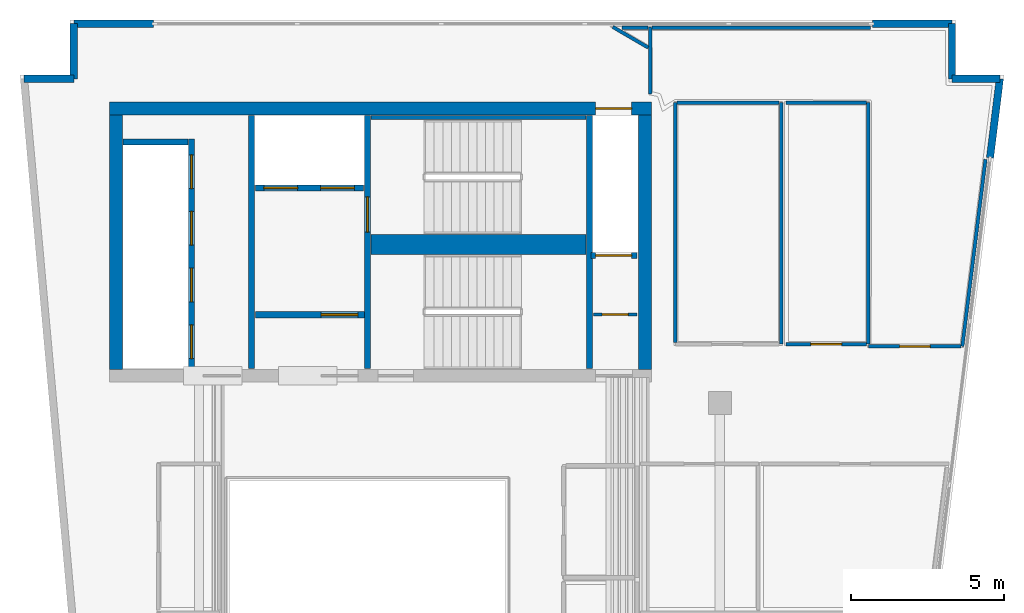
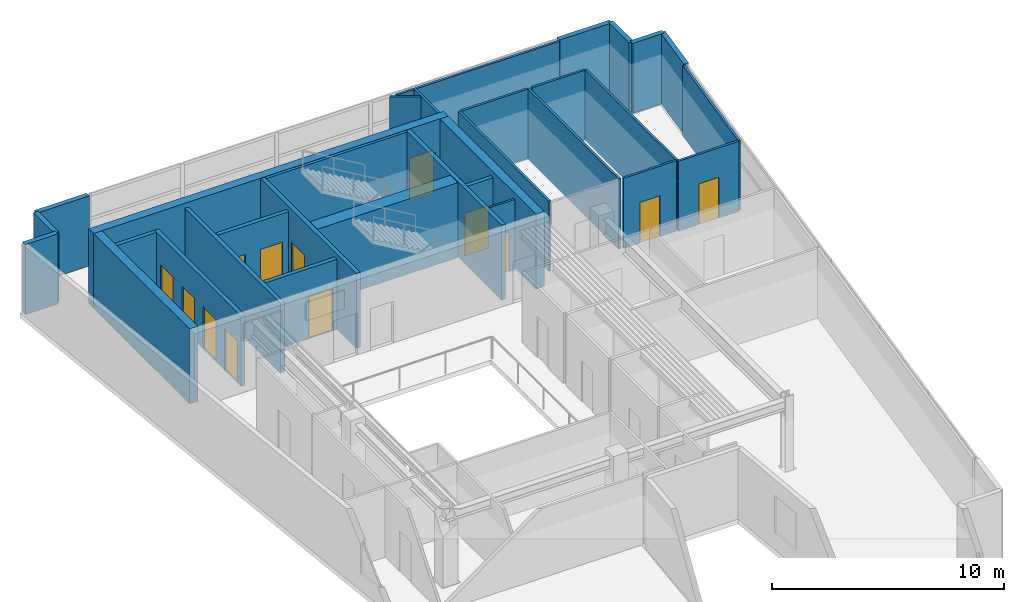
# One storey, part 5 of 8: 33 walls, 13 doors, 13 openings.
"""IFC4 building model written with IfcOpenShell, lengths in metres."""

from ifc_helpers import new_model, si_unit, direction, frame, frame_2d, origin, place, context, subcontext, project, spatial, rectangle, extrude, material, layer, layer_set, type_object, element, fill, save


model = new_model("IFC4")

# Units and contexts
model_context = context("Model", 3, precision=1e-05, world=origin(), true_north=direction((0.0, 1.0)))
body_context = subcontext(model_context, "Body", "Model", "MODEL_VIEW")
ifc_project = project(units=[si_unit("LENGTHUNIT", "METRE"), si_unit("AREAUNIT", "SQUARE_METRE"), si_unit("VOLUMEUNIT", "CUBIC_METRE"), si_unit("PLANEANGLEUNIT", "RADIAN"), si_unit("MASSUNIT", "GRAM", prefix="KILO")], contexts=[model_context])

# Site, building, storey
site_placement = place(None, origin())
site = spatial("IfcSite", under=ifc_project, at=site_placement, CompositionType="ELEMENT")
building_placement = place(site_placement, origin())
building = spatial("IfcBuilding", under=site, at=building_placement, Name="Caeloran Harvest Quay", CompositionType="ELEMENT")
storey_placement = place(building_placement, frame((0.0, 0.0, 272.5)))
storey = spatial("IfcBuildingStorey", under=building, at=storey_placement, Name="L65", CompositionType="ELEMENT", Elevation=272.5)

# Walls
ifc_material_1 = material(Name="Precast concrete C50/60", Category="concrete")
ifc_layer_1 = layer(ifc_material_1, 0.239990234375, Name="Precast concrete C50/60")
ifc_layer_set_1 = layer_set([ifc_layer_1], Name="Precast concrete C50/60")
wall_type_1 = type_object("IfcWallType", Name="ENV-WALL-EW-240", PredefinedType="STANDARD", material=ifc_layer_set_1)
wall_1_placement = place(storey_placement, frame((2.793212890625, 41.580078125, 0.0), z_axis=(0.0, 0.0, 1.0), x_axis=(1.0, 0.0, 0.0)))
element("IfcWall", 1, at=wall_1_placement, inside=storey, type_object=wall_type_1, Name="L65 Exterior Precast Concrete Facade Wall 4", PredefinedType="STANDARD", context=body_context, shape_type="SweptSolid", body=[
    extrude(rectangle(XDim=1.626708984375, YDim=0.239990234375, at=frame_2d((0.8134765625, 0.0))), origin(), (0.0, 0.0, 1.0), 3.699951171875),
])
wall_2_placement = place(storey_placement, frame((4.419921875, 41.580078125, 0.0), z_axis=(0.0, 0.0, 1.0), x_axis=(0.0, 1.0, 0.0)))
element("IfcWall", 2, at=wall_2_placement, inside=storey, type_object=wall_type_1, Name="L65 Exterior Precast Concrete Facade Wall 5", PredefinedType="STANDARD", context=body_context, shape_type="SweptSolid", body=[
    extrude(rectangle(XDim=1.7998046875, YDim=0.239990234375, at=frame_2d((0.89990234375, 0.0))), origin(), (0.0, 0.0, 1.0), 3.699951171875),
])
for number, where, z_axis, x_axis, name in (
    (3, (4.419921875, 43.3798828125, 0.0), (0.0, 0.0, 1.0), (1.0, 0.0, 0.0), "L65 Exterior Facade Corner Pier Wall 6A"),
    (4, (30.47998046875, 43.3798828125, 0.0), (0.0, 0.0, 1.0), (1.0, 0.0, 0.0), "L65 Exterior Facade Corner Pier Wall 6B"),
):
    element("IfcWall", number, at=place(storey_placement, frame(where, z_axis=z_axis, x_axis=x_axis)), inside=storey, type_object=wall_type_1, Name=name, PredefinedType="STANDARD", context=body_context, shape_type="SweptSolid", body=[
        extrude(rectangle(XDim=2.60009765625, YDim=0.239990234375, at=frame_2d((1.300048828125, 0.0))), origin(), (0.0, 0.0, 1.0), 3.699951171875),
    ])
wall_3_placement = place(storey_placement, frame((33.080078125, 43.3798828125, 0.0), z_axis=(0.0, 0.0, 1.0), x_axis=(0.0, -1.0, 0.0)))
element("IfcWall", 5, at=wall_3_placement, inside=storey, type_object=wall_type_1, Name="L65 Exterior Precast Concrete Facade Wall 7", PredefinedType="STANDARD", context=body_context, shape_type="SweptSolid", body=[
    extrude(rectangle(XDim=1.7998046875, YDim=0.239990234375, at=frame_2d((0.89990234375, 0.0))), origin(), (0.0, 0.0, 1.0), 3.699951171875),
])
wall_4_placement = place(storey_placement, frame((33.080078125, 41.580078125, 0.0), z_axis=(0.0, 0.0, 1.0), x_axis=(1.0, 0.0, 0.0)))
element("IfcWall", 6, at=wall_4_placement, inside=storey, type_object=wall_type_1, Name="L65 Exterior Precast Concrete Facade Wall 8", PredefinedType="STANDARD", context=body_context, shape_type="SweptSolid", body=[
    extrude(rectangle(XDim=1.560791015625, YDim=0.239990234375, at=frame_2d((0.7802734375, 0.0))), origin(), (0.0, 0.0, 1.0), 3.699951171875),
])
wall_5_placement = place(storey_placement, frame((34.640869140625, 41.580078125, 0.0), z_axis=(0.0, 0.0, 1.0), x_axis=(-0.123191073593, -0.992382970121, 0.0)))
element("IfcWall", 7, at=wall_5_placement, inside=storey, type_object=wall_type_1, Name="L65 Exterior Facade Corner Pier Wall 9A", PredefinedType="STANDARD", context=body_context, shape_type="SweptSolid", body=[
    extrude(rectangle(XDim=2.60009765625, YDim=0.239990234375, at=frame_2d((1.300048828125, 0.0))), origin(), (0.0, 0.0, 1.0), 3.699951171875),
])

# Wall, opening, door
ifc_material_2 = material(Name="Fire-Resisting Gypsum Core Riser Partition", Category="gypsum")
ifc_layer_2 = layer(ifc_material_2, 0.10009765625, Name="Fire-Resisting Gypsum Core Riser Partition")
ifc_layer_set_2 = layer_set([ifc_layer_2], Name="Fire-Resisting Gypsum Core Riser Partition")
wall_type_2 = type_object("IfcWallType", Name="INT-WALL-PW-100", PredefinedType="PARTITIONING", material=ifc_layer_set_2)
wall_6_placement = place(storey_placement, frame((21.3798828125, 33.889892578125, 0.0), z_axis=(0.0, 0.0, 1.0), x_axis=(1.0, 0.0, 0.0)))
wall_6 = element("IfcWall", 8, at=wall_6_placement, inside=storey, type_object=wall_type_2, Name="L65 Cleaner Store Partition Wall", PredefinedType="PARTITIONING", context=body_context, shape_type="SweptSolid", body=[
    extrude(rectangle(XDim=1.420166015625, YDim=0.10009765625, at=frame_2d((0.7099609375, 0.0))), origin(), (0.0, 0.0, 1.0), 3.699951171875),
])
opening_1_placement = place(wall_6_placement, frame((0.280029296875, 0.0, 0.0)))
opening_1 = element("IfcOpeningElement", 9, at=opening_1_placement, cuts=wall_6, Name="Opening SV-01", PredefinedType="OPENING", context=body_context, shape_type="SweptSolid", body=[
    extrude(rectangle(XDim=0.85009765625, YDim=2.10009765625, at=frame_2d((0.425048828125, 1.050048828125))), frame((0.0, 0.06005859375, 0.0), z_axis=(0.0, -1.0, 0.0), x_axis=(1.0, 0.0, 0.0)), (0.0, 0.0, 1.0), 0.1201171875),
])
ifc_material_3 = material(Name="Galvanized Painted Steel", Category="steel")
door_type_1 = type_object("IfcDoorType", Name="INTDOOR-SV-01", OperationType="NOTDEFINED", PredefinedType="DOOR", material=ifc_material_3)
door_1_placement = place(opening_1_placement, origin())
door_1 = element("IfcDoor", 10, at=door_1_placement, inside=storey, type_object=door_type_1, Name="L65 Cleaner Supply Store Access Door", OperationType="SINGLE_SWING_RIGHT", OverallHeight=2.10009765625, OverallWidth=0.85009765625, PredefinedType="DOOR", context=body_context, shape_type="SweptSolid", body=[
    extrude(rectangle(XDim=0.85009765625, YDim=2.10009765625, at=frame_2d((0.425048828125, 1.050048828125))), frame((0.0, 0.02490234375, 0.0), z_axis=(0.0, -1.0, 0.0), x_axis=(1.0, 0.0, 0.0)), (0.0, 0.0, 1.0), 0.050048828125),
])
fill(opening_1, door_1)

# Walls
ifc_material_4 = material(Name="Single-Stud Acoustic Gypsum Office Partition", Category="gypsum")
ifc_layer_3 = layer(ifc_material_4, 0.112060546875, Name="Single-Stud Acoustic Gypsum Office Partition")
ifc_layer_set_3 = layer_set([ifc_layer_3], Name="Single-Stud Acoustic Gypsum Office Partition")
wall_type_3 = type_object("IfcWallType", Name="INT-WALL-PW-112", PredefinedType="PARTITIONING", material=ifc_layer_set_3)
wall_7_placement = place(storey_placement, frame((27.5, 40.800048828125, 0.0), z_axis=(0.0, 0.0, 1.0), x_axis=(0.0, -1.0, 0.0)))
element("IfcWall", 11, at=wall_7_placement, inside=storey, type_object=wall_type_3, Name="L65 Bioinformatics Briefing Lounge Partition Wall", PredefinedType="PARTITIONING", context=body_context, shape_type="SweptSolid", body=[
    extrude(rectangle(XDim=7.880126953125, YDim=0.112060546875, at=frame_2d((3.93994140625, 0.0))), origin(), (0.0, 0.0, 1.0), 3.699951171875),
])
wall_8_placement = place(storey_placement, frame((24.050048828125, 32.98095703125, 0.0), z_axis=(0.0, 0.0, 1.0), x_axis=(0.0, 1.0, 0.0)))
element("IfcWall", 12, at=wall_8_placement, inside=storey, type_object=wall_type_3, Name="L65 Bioinformatics Briefing Lounge Partition Wall", PredefinedType="PARTITIONING", context=body_context, shape_type="SweptSolid", body=[
    extrude(rectangle(XDim=7.819091796875, YDim=0.112060546875, at=frame_2d((3.90966796875, 0.0))), origin(), (0.0, 0.0, 1.0), 3.699951171875),
])
wall_9_placement = place(storey_placement, frame((24.111083984375, 40.800048828125, 0.0), z_axis=(0.0, 0.0, 1.0), x_axis=(1.0, 0.0, 0.0)))
element("IfcWall", 13, at=wall_9_placement, inside=storey, type_object=wall_type_3, Name="L65 Bioinformatics Briefing Lounge Partition Wall", PredefinedType="PARTITIONING", context=body_context, shape_type="SweptSolid", body=[
    extrude(rectangle(XDim=3.327880859375, YDim=0.112060546875, at=frame_2d((1.6640625, 0.0))), origin(), (0.0, 0.0, 1.0), 3.699951171875),
])
wall_10_placement = place(storey_placement, frame((30.35009765625, 40.800048828125, 0.0), z_axis=(0.0, 0.0, 1.0), x_axis=(0.0, -1.0, 0.0)))
element("IfcWall", 14, at=wall_10_placement, inside=storey, type_object=wall_type_3, Name="L65 Seed Imaging Laboratory Partition Wall", PredefinedType="PARTITIONING", context=body_context, shape_type="SweptSolid", body=[
    extrude(rectangle(XDim=7.880126953125, YDim=0.112060546875, at=frame_2d((3.93994140625, 0.0))), origin(), (0.0, 0.0, 1.0), 3.699951171875),
])

# Wall, opening, door
wall_11_placement = place(storey_placement, frame((30.2890625, 32.919921875, 0.0), z_axis=(0.0, 0.0, 1.0), x_axis=(-1.0, 0.0, 0.0)))
wall_11 = element("IfcWall", 15, at=wall_11_placement, inside=storey, type_object=wall_type_3, Name="L65 Seed Imaging Laboratory Partition Wall", PredefinedType="PARTITIONING", context=body_context, shape_type="SweptSolid", body=[
    extrude(rectangle(XDim=2.629150390625, YDim=0.112060546875, at=frame_2d((1.314453125, 0.0))), origin(), (0.0, 0.0, 1.0), 3.699951171875),
])
opening_2_placement = place(wall_11_placement, frame((0.814453125, 0.0, 0.0)))
opening_2 = element("IfcOpeningElement", 16, at=opening_2_placement, cuts=wall_11, Name="Opening ID-01", PredefinedType="OPENING", context=body_context, shape_type="SweptSolid", body=[
    extrude(rectangle(XDim=1.0, YDim=2.14990234375, at=frame_2d((0.5, 1.074951171875))), frame((0.0, 0.06591796875, 0.0), z_axis=(0.0, -1.0, 0.0), x_axis=(1.0, 0.0, 0.0)), (0.0, 0.0, 1.0), 0.132080078125),
])
ifc_material_5 = material(Name="FSC Solid-Core Ash Timber and Acoustic Seal", Category="wood")
door_type_2 = type_object("IfcDoorType", Name="INTDOOR-ID-01", OperationType="NOTDEFINED", PredefinedType="DOOR", material=ifc_material_5)
door_2_placement = place(opening_2_placement, origin())
door_2 = element("IfcDoor", 17, at=door_2_placement, inside=storey, type_object=door_type_2, Name="L65 Seed Imaging Laboratory Access Door", OperationType="SINGLE_SWING_RIGHT", OverallHeight=2.14990234375, OverallWidth=1.0, PredefinedType="DOOR", context=body_context, shape_type="SweptSolid", body=[
    extrude(rectangle(XDim=1.0, YDim=2.14990234375, at=frame_2d((0.5, 1.074951171875))), frame((0.0, 0.02490234375, 0.0), z_axis=(0.0, -1.0, 0.0), x_axis=(1.0, 0.0, 0.0)), (0.0, 0.0, 1.0), 0.050048828125),
])
fill(opening_2, door_2)

# Walls
wall_12_placement = place(storey_placement, frame((27.659912109375, 40.800048828125, 0.0), z_axis=(0.0, 0.0, 1.0), x_axis=(1.0, 0.0, 0.0)))
element("IfcWall", 18, at=wall_12_placement, inside=storey, type_object=wall_type_3, Name="L65 Seed Imaging Laboratory Partition Wall", PredefinedType="PARTITIONING", context=body_context, shape_type="SweptSolid", body=[
    extrude(rectangle(XDim=2.629150390625, YDim=0.112060546875, at=frame_2d((1.314453125, 0.0))), origin(), (0.0, 0.0, 1.0), 3.699951171875),
])
wall_13_placement = place(storey_placement, frame((23.22998046875, 41.093017578125, 0.0), z_axis=(0.0, 0.0, 1.0), x_axis=(-0.002685455238, 0.999996394159, 0.0)))
element("IfcWall", 19, at=wall_13_placement, inside=storey, type_object=wall_type_3, Name="International Policy Conference Room 9 Partition Wall", PredefinedType="PARTITIONING", context=body_context, shape_type="SweptSolid", body=[
    extrude(rectangle(XDim=2.181884765625, YDim=0.112060546875, at=frame_2d((1.0908203125, 0.0))), origin(), (0.0, 0.0, 1.0), 3.699951171875),
])
wall_14_placement = place(storey_placement, frame((23.164794921875, 42.599609375, 0.0), z_axis=(0.0, 0.0, 1.0), x_axis=(-0.863606966756, 0.504165654295, 0.0)))
element("IfcWall", 20, at=wall_14_placement, inside=storey, type_object=wall_type_3, Name="International Policy Conference Room 9 Partition Wall", PredefinedType="PARTITIONING", context=body_context, shape_type="SweptSolid", body=[
    extrude(rectangle(XDim=1.33935546875, YDim=0.112060546875, at=frame_2d((0.669677734375, 0.0))), origin(), (0.0, 0.0, 1.0), 3.699951171875),
])
wall_15_placement = place(storey_placement, frame((22.31396484375, 43.239990234375, 0.0), z_axis=(0.0, 0.0, 1.0), x_axis=(1.0, 0.0, 0.0)))
element("IfcWall", 21, at=wall_15_placement, inside=storey, type_object=wall_type_3, Name="International Policy Conference Room 9 Partition Wall", PredefinedType="PARTITIONING", context=body_context, shape_type="SweptSolid", body=[
    extrude(rectangle(XDim=0.84912109375, YDim=0.112060546875, at=frame_2d((0.424560546875, 0.0))), origin(), (0.0, 0.0, 1.0), 3.699951171875),
])
wall_16_placement = place(storey_placement, frame((23.28515625, 43.239990234375, 0.0), z_axis=(0.0, 0.0, 1.0), x_axis=(1.0, 0.0, 0.0)))
element("IfcWall", 22, at=wall_16_placement, inside=storey, type_object=wall_type_3, Name="International Policy Conference Room 9 Partition Wall", PredefinedType="PARTITIONING", context=body_context, shape_type="SweptSolid", body=[
    extrude(rectangle(XDim=7.1298828125, YDim=0.112060546875, at=frame_2d((3.56494140625, 0.0))), origin(), (0.0, 0.0, 1.0), 3.699951171875),
])
wall_17_placement = place(storey_placement, frame((34.17333984375, 38.95263671875, 0.0), z_axis=(0.0, 0.0, 1.0), x_axis=(-0.123155137196, -0.992387430484, 0.0)))
element("IfcWall", 23, at=wall_17_placement, inside=storey, type_object=wall_type_3, Name="International Policy Conference Room 9 Partition Wall", PredefinedType="PARTITIONING", context=body_context, shape_type="SweptSolid", body=[
    extrude(rectangle(XDim=6.1494140625, YDim=0.112060546875, at=frame_2d((3.07470703125, 0.0))), origin(), (0.0, 0.0, 1.0), 3.699951171875),
])

# Wall, opening, door
wall_18_placement = place(storey_placement, frame((33.37548828125, 32.85009765625, 0.0), z_axis=(0.0, 0.0, 1.0), x_axis=(-1.0, 0.0, 0.0)))
wall_18 = element("IfcWall", 24, at=wall_18_placement, inside=storey, type_object=wall_type_3, Name="International Policy Conference Room 9 Partition Wall", PredefinedType="PARTITIONING", context=body_context, shape_type="SweptSolid", body=[
    extrude(rectangle(XDim=3.015380859375, YDim=0.112060546875, at=frame_2d((1.5078125, 0.0))), origin(), (0.0, 0.0, 1.0), 3.699951171875),
])
opening_3_placement = place(wall_18_placement, frame((1.0078125, 0.0, 0.0)))
opening_3 = element("IfcOpeningElement", 25, at=opening_3_placement, cuts=wall_18, Name="Opening ID-01", PredefinedType="OPENING", context=body_context, shape_type="SweptSolid", body=[
    extrude(rectangle(XDim=1.0, YDim=2.14990234375, at=frame_2d((0.5, 1.074951171875))), frame((0.0, 0.06591796875, 0.0), z_axis=(0.0, -1.0, 0.0), x_axis=(1.0, 0.0, 0.0)), (0.0, 0.0, 1.0), 0.132080078125),
])
door_3_placement = place(opening_3_placement, origin())
door_3 = element("IfcDoor", 26, at=door_3_placement, inside=storey, type_object=door_type_2, Name="International Policy Conference Room 9 Access Door", OperationType="SINGLE_SWING_LEFT", OverallHeight=2.14990234375, OverallWidth=1.0, PredefinedType="DOOR", context=body_context, shape_type="SweptSolid", body=[
    extrude(rectangle(XDim=1.0, YDim=2.14990234375, at=frame_2d((0.5, 1.074951171875))), frame((0.0, 0.02490234375, 0.0), z_axis=(0.0, -1.0, 0.0), x_axis=(1.0, 0.0, 0.0)), (0.0, 0.0, 1.0), 0.050048828125),
])
fill(opening_3, door_3)

# Wall, openings, doors
ifc_material_6 = material(Name="Concrete C50/60", Category="concrete")
ifc_layer_4 = layer(ifc_material_6, 0.199951171875, Name="Concrete C50/60")
ifc_layer_set_4 = layer_set([ifc_layer_4], Name="Concrete C50/60")
wall_type_4 = type_object("IfcWallType", Name="INT-WALL-SW-200", PredefinedType="PARTITIONING", material=ifc_layer_set_4)
wall_19_placement = place(storey_placement, frame((8.260009765625, 32.1201171875, 0.0), z_axis=(0.0, 0.0, 1.0), x_axis=(0.0, 1.0, 0.0)))
wall_19 = element("IfcWall", 27, at=wall_19_placement, inside=storey, type_object=wall_type_4, Name="L65 Bank 3 Lift Shaft Wall", PredefinedType="PARTITIONING", context=body_context, shape_type="SweptSolid", body=[
    extrude(rectangle(XDim=7.5, YDim=0.199951171875, at=frame_2d((3.75, 0.0))), origin(), (0.0, 0.0, 1.0), 3.699951171875),
])
opening_4_placement = place(wall_19_placement, frame((0.330078125, 0.0, 0.0)))
opening_4 = element("IfcOpeningElement", 28, at=opening_4_placement, cuts=wall_19, Name="Opening LD-01", PredefinedType="OPENING", context=body_context, shape_type="SweptSolid", body=[
    extrude(rectangle(XDim=1.10009765625, YDim=2.199951171875, at=frame_2d((0.550048828125, 1.10009765625))), frame((0.0, 0.10986328125, 0.0), z_axis=(0.0, -1.0, 0.0), x_axis=(1.0, 0.0, 0.0)), (0.0, 0.0, 1.0), 0.219970703125),
])
opening_5_placement = place(wall_19_placement, frame((2.179931640625, 0.0, 0.0)))
opening_5 = element("IfcOpeningElement", 29, at=opening_5_placement, cuts=wall_19, Name="Opening LD-01", PredefinedType="OPENING", context=body_context, shape_type="SweptSolid", body=[
    extrude(rectangle(XDim=1.10009765625, YDim=2.199951171875, at=frame_2d((0.550048828125, 1.10009765625))), frame((0.0, 0.10986328125, 0.0), z_axis=(0.0, -1.0, 0.0), x_axis=(1.0, 0.0, 0.0)), (0.0, 0.0, 1.0), 0.219970703125),
])
opening_6_placement = place(wall_19_placement, frame((4.030029296875, 0.0, 0.0)))
opening_6 = element("IfcOpeningElement", 30, at=opening_6_placement, cuts=wall_19, Name="Opening LD-01", PredefinedType="OPENING", context=body_context, shape_type="SweptSolid", body=[
    extrude(rectangle(XDim=1.10009765625, YDim=2.199951171875, at=frame_2d((0.550048828125, 1.10009765625))), frame((0.0, 0.10986328125, 0.0), z_axis=(0.0, -1.0, 0.0), x_axis=(1.0, 0.0, 0.0)), (0.0, 0.0, 1.0), 0.219970703125),
])
opening_7_placement = place(wall_19_placement, frame((5.8798828125, 0.0, 0.0)))
opening_7 = element("IfcOpeningElement", 31, at=opening_7_placement, cuts=wall_19, Name="Opening LD-01", PredefinedType="OPENING", context=body_context, shape_type="SweptSolid", body=[
    extrude(rectangle(XDim=1.10009765625, YDim=2.199951171875, at=frame_2d((0.550048828125, 1.10009765625))), frame((0.0, 0.10986328125, 0.0), z_axis=(0.0, -1.0, 0.0), x_axis=(1.0, 0.0, 0.0)), (0.0, 0.0, 1.0), 0.219970703125),
])
ifc_material_7 = material(Name="Stainless Steel Grade 316", Category="steel")
door_type_3 = type_object("IfcDoorType", Name="INTDOOR-LD-01", OperationType="NOTDEFINED", PredefinedType="DOOR", material=ifc_material_7)
door_4_placement = place(opening_4_placement, origin())
door_4 = element("IfcDoor", 32, at=door_4_placement, inside=storey, type_object=door_type_3, Name="Lift P3-1 Sliding Landing Door (L65)", OperationType="DOUBLE_DOOR_SLIDING", OverallHeight=2.199951171875, OverallWidth=1.10009765625, PredefinedType="DOOR", context=body_context, shape_type="SweptSolid", body=[
    extrude(rectangle(XDim=1.10009765625, YDim=2.199951171875, at=frame_2d((0.550048828125, 1.10009765625))), frame((0.0, 0.02490234375, 0.0), z_axis=(0.0, -1.0, 0.0), x_axis=(1.0, 0.0, 0.0)), (0.0, 0.0, 1.0), 0.050048828125),
])
fill(opening_4, door_4)
door_5_placement = place(opening_5_placement, origin())
door_5 = element("IfcDoor", 33, at=door_5_placement, inside=storey, type_object=door_type_3, Name="Lift P3-2 Sliding Landing Door (L65)", OperationType="DOUBLE_DOOR_SLIDING", OverallHeight=2.199951171875, OverallWidth=1.10009765625, PredefinedType="DOOR", context=body_context, shape_type="SweptSolid", body=[
    extrude(rectangle(XDim=1.10009765625, YDim=2.199951171875, at=frame_2d((0.550048828125, 1.10009765625))), frame((0.0, 0.02490234375, 0.0), z_axis=(0.0, -1.0, 0.0), x_axis=(1.0, 0.0, 0.0)), (0.0, 0.0, 1.0), 0.050048828125),
])
fill(opening_5, door_5)
door_6_placement = place(opening_6_placement, origin())
door_6 = element("IfcDoor", 34, at=door_6_placement, inside=storey, type_object=door_type_3, Name="Lift P3-3 Sliding Landing Door (L65)", OperationType="DOUBLE_DOOR_SLIDING", OverallHeight=2.199951171875, OverallWidth=1.10009765625, PredefinedType="DOOR", context=body_context, shape_type="SweptSolid", body=[
    extrude(rectangle(XDim=1.10009765625, YDim=2.199951171875, at=frame_2d((0.550048828125, 1.10009765625))), frame((0.0, 0.02490234375, 0.0), z_axis=(0.0, -1.0, 0.0), x_axis=(1.0, 0.0, 0.0)), (0.0, 0.0, 1.0), 0.050048828125),
])
fill(opening_6, door_6)
door_7_placement = place(opening_7_placement, origin())
door_7 = element("IfcDoor", 35, at=door_7_placement, inside=storey, type_object=door_type_3, Name="Lift P3-4 Sliding Landing Door (L65)", OperationType="DOUBLE_DOOR_SLIDING", OverallHeight=2.199951171875, OverallWidth=1.10009765625, PredefinedType="DOOR", context=body_context, shape_type="SweptSolid", body=[
    extrude(rectangle(XDim=1.10009765625, YDim=2.199951171875, at=frame_2d((0.550048828125, 1.10009765625))), frame((0.0, 0.02490234375, 0.0), z_axis=(0.0, -1.0, 0.0), x_axis=(1.0, 0.0, 0.0)), (0.0, 0.0, 1.0), 0.050048828125),
])
fill(opening_7, door_7)

# Walls
wall_20_placement = place(storey_placement, frame((6.02001953125, 39.52001953125, 0.0), z_axis=(0.0, 0.0, 1.0), x_axis=(1.0, 0.0, 0.0)))
element("IfcWall", 36, at=wall_20_placement, inside=storey, type_object=wall_type_4, Name="L65 Bank 3 Lift Shaft North End Wall", PredefinedType="PARTITIONING", context=body_context, shape_type="SweptSolid", body=[
    extrude(rectangle(XDim=2.119873046875, YDim=0.199951171875, at=frame_2d((1.06005859375, 0.0))), origin(), (0.0, 0.0, 1.0), 3.699951171875),
])
wall_21_placement = place(storey_placement, frame((10.219970703125, 32.1201171875, 0.0), z_axis=(0.0, 0.0, 1.0), x_axis=(0.0, 1.0, 0.0)))
element("IfcWall", 37, at=wall_21_placement, inside=storey, type_object=wall_type_4, Name="L65 Core Lobby Compartment Wall", PredefinedType="PARTITIONING", context=body_context, shape_type="SweptSolid", body=[
    extrude(rectangle(XDim=8.259765625, YDim=0.199951171875, at=frame_2d((4.1298828125, 0.0))), origin(), (0.0, 0.0, 1.0), 3.699951171875),
])

# Wall, openings, doors
wall_22_placement = place(storey_placement, frame((10.340087890625, 38.02001953125, 0.0), z_axis=(0.0, 0.0, 1.0), x_axis=(1.0, 0.0, 0.0)))
wall_22 = element("IfcWall", 38, at=wall_22_placement, inside=storey, type_object=wall_type_4, Name="L65 Firefighting Lift Shaft Wall", PredefinedType="PARTITIONING", context=body_context, shape_type="SweptSolid", body=[
    extrude(rectangle(XDim=3.539794921875, YDim=0.199951171875, at=frame_2d((1.77001953125, 0.0))), origin(), (0.0, 0.0, 1.0), 3.699951171875),
])
opening_8_placement = place(wall_22_placement, frame((0.284912109375, 0.0, 0.0)))
opening_8 = element("IfcOpeningElement", 39, at=opening_8_placement, cuts=wall_22, Name="Opening LD-01", PredefinedType="OPENING", context=body_context, shape_type="SweptSolid", body=[
    extrude(rectangle(XDim=1.10009765625, YDim=2.199951171875, at=frame_2d((0.550048828125, 1.10009765625))), frame((0.0, 0.10986328125, 0.0), z_axis=(0.0, -1.0, 0.0), x_axis=(1.0, 0.0, 0.0)), (0.0, 0.0, 1.0), 0.219970703125),
])
opening_9_placement = place(wall_22_placement, frame((2.135009765625, 0.0, 0.0)))
opening_9 = element("IfcOpeningElement", 40, at=opening_9_placement, cuts=wall_22, Name="Opening LD-01", PredefinedType="OPENING", context=body_context, shape_type="SweptSolid", body=[
    extrude(rectangle(XDim=1.10009765625, YDim=2.199951171875, at=frame_2d((0.550048828125, 1.10009765625))), frame((0.0, 0.10986328125, 0.0), z_axis=(0.0, -1.0, 0.0), x_axis=(1.0, 0.0, 0.0)), (0.0, 0.0, 1.0), 0.219970703125),
])
door_8_placement = place(opening_8_placement, origin())
door_8 = element("IfcDoor", 41, at=door_8_placement, inside=storey, type_object=door_type_3, Name="Lift FF-1 Sliding Landing Door (L65)", OperationType="DOUBLE_DOOR_SLIDING", OverallHeight=2.199951171875, OverallWidth=1.10009765625, PredefinedType="DOOR", context=body_context, shape_type="SweptSolid", body=[
    extrude(rectangle(XDim=1.10009765625, YDim=2.199951171875, at=frame_2d((0.550048828125, 1.10009765625))), frame((0.0, 0.02490234375, 0.0), z_axis=(0.0, -1.0, 0.0), x_axis=(1.0, 0.0, 0.0)), (0.0, 0.0, 1.0), 0.050048828125),
])
fill(opening_8, door_8)
door_9_placement = place(opening_9_placement, origin())
door_9 = element("IfcDoor", 42, at=door_9_placement, inside=storey, type_object=door_type_3, Name="Lift FF-2 Sliding Landing Door (L65)", OperationType="DOUBLE_DOOR_SLIDING", OverallHeight=2.199951171875, OverallWidth=1.10009765625, PredefinedType="DOOR", context=body_context, shape_type="SweptSolid", body=[
    extrude(rectangle(XDim=1.10009765625, YDim=2.199951171875, at=frame_2d((0.550048828125, 1.10009765625))), frame((0.0, 0.02490234375, 0.0), z_axis=(0.0, -1.0, 0.0), x_axis=(1.0, 0.0, 0.0)), (0.0, 0.0, 1.0), 0.050048828125),
])
fill(opening_9, door_9)

# Wall, opening, door
wall_23_placement = place(storey_placement, frame((10.340087890625, 33.8798828125, 0.0), z_axis=(0.0, 0.0, 1.0), x_axis=(1.0, 0.0, 0.0)))
wall_23 = element("IfcWall", 43, at=wall_23_placement, inside=storey, type_object=wall_type_4, Name="L65 Firefighting Lift Lobby Enclosure Wall", PredefinedType="PARTITIONING", context=body_context, shape_type="SweptSolid", body=[
    extrude(rectangle(XDim=3.559814453125, YDim=0.199951171875, at=frame_2d((1.77978515625, 0.0))), origin(), (0.0, 0.0, 1.0), 3.699951171875),
])
opening_10_placement = place(wall_23_placement, frame((2.14990234375, 0.0, 0.0)))
opening_10 = element("IfcOpeningElement", 44, at=opening_10_placement, cuts=wall_23, Name="Opening FD-01", PredefinedType="OPENING", context=body_context, shape_type="SweptSolid", body=[
    extrude(rectangle(XDim=1.199951171875, YDim=2.199951171875, at=frame_2d((0.60009765625, 1.10009765625))), frame((0.0, 0.10986328125, 0.0), z_axis=(0.0, -1.0, 0.0), x_axis=(1.0, 0.0, 0.0)), (0.0, 0.0, 1.0), 0.219970703125),
])
ifc_material_8 = material(Name="Steel", Category="steel")
door_type_4 = type_object("IfcDoorType", Name="INTDOOR-FD-01", OperationType="NOTDEFINED", PredefinedType="DOOR", material=ifc_material_8)
door_10_placement = place(opening_10_placement, origin())
door_10 = element("IfcDoor", 45, at=door_10_placement, inside=storey, type_object=door_type_4, Name="L65 Firefighting Lift Lobby Smoke-Seal Fire Door", OperationType="SINGLE_SWING_RIGHT", OverallHeight=2.199951171875, OverallWidth=1.199951171875, PredefinedType="DOOR", context=body_context, shape_type="SweptSolid", body=[
    extrude(rectangle(XDim=1.199951171875, YDim=2.199951171875, at=frame_2d((0.60009765625, 1.10009765625))), frame((0.0, 0.02490234375, 0.0), z_axis=(0.0, -1.0, 0.0), x_axis=(1.0, 0.0, 0.0)), (0.0, 0.0, 1.0), 0.050048828125),
])
fill(opening_10, door_10)

wall_24_placement = place(storey_placement, frame((21.300048828125, 35.820068359375, 0.0), z_axis=(0.0, 0.0, 1.0), x_axis=(1.0, 0.0, 0.0)))
wall_24 = element("IfcWall", 46, at=wall_24_placement, inside=storey, type_object=wall_type_4, Name="L65 Service Lift SV-2 Shaft Wall", PredefinedType="PARTITIONING", context=body_context, shape_type="SweptSolid", body=[
    extrude(rectangle(XDim=1.5, YDim=0.199951171875, at=frame_2d((0.75, 0.0))), origin(), (0.0, 0.0, 1.0), 3.699951171875),
])
opening_11_placement = place(wall_24_placement, frame((0.14501953125, 0.0, 0.0)))
opening_11 = element("IfcOpeningElement", 47, at=opening_11_placement, cuts=wall_24, Name="Opening LD-02", PredefinedType="OPENING", context=body_context, shape_type="SweptSolid", body=[
    extrude(rectangle(XDim=1.179931640625, YDim=2.25, at=frame_2d((0.58984375, 1.125))), frame((0.0, 0.10986328125, 0.0), z_axis=(0.0, -1.0, 0.0), x_axis=(1.0, 0.0, 0.0)), (0.0, 0.0, 1.0), 0.219970703125),
])
door_type_5 = type_object("IfcDoorType", Name="INTDOOR-LD-02", OperationType="NOTDEFINED", PredefinedType="DOOR", material=ifc_material_7)
door_11_placement = place(opening_11_placement, origin())
door_11 = element("IfcDoor", 48, at=door_11_placement, inside=storey, type_object=door_type_5, Name="Lift SV-2 Sliding Landing Door (L65)", OperationType="DOUBLE_DOOR_SLIDING", OverallHeight=2.25, OverallWidth=1.179931640625, PredefinedType="DOOR", context=body_context, shape_type="SweptSolid", body=[
    extrude(rectangle(XDim=1.179931640625, YDim=2.25, at=frame_2d((0.58984375, 1.125))), frame((0.0, 0.02490234375, 0.0), z_axis=(0.0, -1.0, 0.0), x_axis=(1.0, 0.0, 0.0)), (0.0, 0.0, 1.0), 0.050048828125),
])
fill(opening_11, door_11)

ifc_material_9 = material(Name="Concrete C60/75", Category="concrete")
ifc_layer_5 = layer(ifc_material_9, 0.419921875, Name="Concrete C60/75")
ifc_layer_set_5 = layer_set([ifc_layer_5], Name="Concrete C60/75")
wall_type_5 = type_object("IfcWallType", Name="STR-WALL-CW-420", PredefinedType="SHEAR", material=ifc_layer_set_5)
wall_25_placement = place(storey_placement, frame((5.580078125, 40.610107421875, 0.0), z_axis=(0.0, 0.0, 1.0), x_axis=(1.0, 0.0, 0.0)))
wall_25 = element("IfcWall", 49, at=wall_25_placement, inside=storey, type_object=wall_type_5, Name="L65 Rear Core Shear Wall N", PredefinedType="SHEAR", context=body_context, shape_type="SweptSolid", body=[
    extrude(rectangle(XDim=17.68994140625, YDim=0.419921875, at=frame_2d((8.844970703125, 0.0))), origin(), (0.0, 0.0, 1.0), 3.949951171875),
])
opening_12_placement = place(wall_25_placement, frame((15.864990234375, 0.0, 0.0)))
opening_12 = element("IfcOpeningElement", 50, at=opening_12_placement, cuts=wall_25, Name="Opening LD-02", PredefinedType="OPENING", context=body_context, shape_type="SweptSolid", body=[
    extrude(rectangle(XDim=1.179931640625, YDim=2.25, at=frame_2d((0.58984375, 1.125))), frame((0.0, 0.219970703125, 0.0), z_axis=(0.0, -1.0, 0.0), x_axis=(1.0, 0.0, 0.0)), (0.0, 0.0, 1.0), 0.43994140625),
])
door_12_placement = place(opening_12_placement, origin())
door_12 = element("IfcDoor", 51, at=door_12_placement, inside=storey, type_object=door_type_5, Name="Lift SV-1 Sliding Landing Door (L65)", OperationType="DOUBLE_DOOR_SLIDING", OverallHeight=2.25, OverallWidth=1.179931640625, PredefinedType="DOOR", context=body_context, shape_type="SweptSolid", body=[
    extrude(rectangle(XDim=1.179931640625, YDim=2.25, at=frame_2d((0.58984375, 1.125))), frame((0.0, 0.02490234375, 0.0), z_axis=(0.0, -1.0, 0.0), x_axis=(1.0, 0.0, 0.0)), (0.0, 0.0, 1.0), 0.050048828125),
])
fill(opening_12, door_12)

# Walls
for number, where, z_axis, x_axis, name in (
    (52, (5.7900390625, 32.10009765625, 0.0), (0.0, 0.0, 1.0), (0.0, 1.0, 0.0), "L65 Rear Core Shear Wall W"),
    (53, (23.06005859375, 32.10009765625, 0.0), (0.0, 0.0, 1.0), (0.0, 1.0, 0.0), "L65 Rear Core Shear Wall E"),
):
    element("IfcWall", number, at=place(storey_placement, frame(where, z_axis=z_axis, x_axis=x_axis)), inside=storey, type_object=wall_type_5, Name=name, PredefinedType="SHEAR", context=body_context, shape_type="SweptSolid", body=[
        extrude(rectangle(XDim=8.2998046875, YDim=0.419921875, at=frame_2d((4.14990234375, 0.0))), origin(), (0.0, 0.0, 1.0), 3.949951171875),
    ])
ifc_layer_6 = layer(ifc_material_9, 0.64990234375, Name="Concrete C60/75")
ifc_layer_set_6 = layer_set([ifc_layer_6], Name="Concrete C60/75")
wall_type_6 = type_object("IfcWallType", Name="STR-WALL-CW-650", PredefinedType="SHEAR", material=ifc_layer_set_6)
wall_26_placement = place(storey_placement, frame((14.1201171875, 36.175048828125, 0.0), z_axis=(0.0, 0.0, 1.0), x_axis=(1.0, 0.0, 0.0)))
element("IfcWall", 54, at=wall_26_placement, inside=storey, type_object=wall_type_6, Name="L65 Core Stairs Dividing Shear Wall", PredefinedType="SHEAR", context=body_context, shape_type="SweptSolid", body=[
    extrude(rectangle(XDim=7.009765625, YDim=0.64990234375, at=frame_2d((3.5048828125, 0.0))), origin(), (0.0, 0.0, 1.0), 3.949951171875),
])
ifc_layer_7 = layer(ifc_material_9, 0.139892578125, Name="Concrete C60/75")
ifc_layer_set_7 = layer_set([ifc_layer_7], Name="Concrete C60/75")
wall_type_7 = type_object("IfcWallType", Name="STR-WALL-SW-140", PredefinedType="SHEAR", material=ifc_layer_set_7)
wall_27_placement = place(storey_placement, frame((14.1201171875, 40.320068359375, 0.0), z_axis=(0.0, 0.0, 1.0), x_axis=(1.0, 0.0, 0.0)))
element("IfcWall", 55, at=wall_27_placement, inside=storey, type_object=wall_type_7, Name="L65 Core Stair ST-C1 North Bearing Shear Wall", PredefinedType="SHEAR", context=body_context, shape_type="SweptSolid", body=[
    extrude(rectangle(XDim=7.009765625, YDim=0.139892578125, at=frame_2d((3.5048828125, 0.0))), origin(), (0.0, 0.0, 1.0), 3.949951171875),
])

# Wall, opening, door
ifc_layer_8 = layer(ifc_material_9, 0.199951171875, Name="Concrete C60/75")
ifc_layer_set_8 = layer_set([ifc_layer_8], Name="Concrete C60/75")
wall_type_8 = type_object("IfcWallType", Name="STR-WALL-SW-200", PredefinedType="SHEAR", material=ifc_layer_set_8)
wall_28_placement = place(storey_placement, frame((14.0, 32.1201171875, 0.0), z_axis=(0.0, 0.0, 1.0), x_axis=(0.0, 1.0, 0.0)))
wall_28 = element("IfcWall", 56, at=wall_28_placement, inside=storey, type_object=wall_type_8, Name="L65 Core Stair Shaft West Shear Wall", PredefinedType="SHEAR", context=body_context, shape_type="SweptSolid", body=[
    extrude(rectangle(XDim=8.259765625, YDim=0.199951171875, at=frame_2d((4.1298828125, 0.0))), origin(), (0.0, 0.0, 1.0), 3.949951171875),
])
opening_13_placement = place(wall_28_placement, frame((4.4599609375, 0.0, 0.0)))
opening_13 = element("IfcOpeningElement", 57, at=opening_13_placement, cuts=wall_28, Name="Opening SD-01", PredefinedType="OPENING", context=body_context, shape_type="SweptSolid", body=[
    extrude(rectangle(XDim=1.14990234375, YDim=2.199951171875, at=frame_2d((0.574951171875, 1.10009765625))), frame((0.0, 0.10986328125, 0.0), z_axis=(0.0, -1.0, 0.0), x_axis=(1.0, 0.0, 0.0)), (0.0, 0.0, 1.0), 0.219970703125),
])
door_type_6 = type_object("IfcDoorType", Name="INTDOOR-SD-01", OperationType="NOTDEFINED", PredefinedType="DOOR", material=ifc_material_8)
door_13_placement = place(opening_13_placement, origin())
door_13 = element("IfcDoor", 58, at=door_13_placement, inside=storey, type_object=door_type_6, Name="L65 Protected Stair ST-C1 Exit Door", OperationType="SINGLE_SWING_LEFT", OverallHeight=2.199951171875, OverallWidth=1.14990234375, PredefinedType="DOOR", context=body_context, shape_type="SweptSolid", body=[
    extrude(rectangle(XDim=1.14990234375, YDim=2.199951171875, at=frame_2d((0.574951171875, 1.10009765625))), frame((0.0, 0.02490234375, 0.0), z_axis=(0.0, -1.0, 0.0), x_axis=(1.0, 0.0, 0.0)), (0.0, 0.0, 1.0), 0.050048828125),
])
fill(opening_13, door_13)

# Wall
wall_29_placement = place(storey_placement, frame((21.25, 32.1201171875, 0.0), z_axis=(0.0, 0.0, 1.0), x_axis=(0.0, 1.0, 0.0)))
element("IfcWall", 59, at=wall_29_placement, inside=storey, type_object=wall_type_8, Name="L65 Core Stair Shaft East Shear Wall", PredefinedType="SHEAR", context=body_context, shape_type="SweptSolid", body=[
    extrude(rectangle(XDim=8.259765625, YDim=0.199951171875, at=frame_2d((4.1298828125, 0.0))), origin(), (0.0, 0.0, 1.0), 3.949951171875),
])

save(model, "model.ifc")
